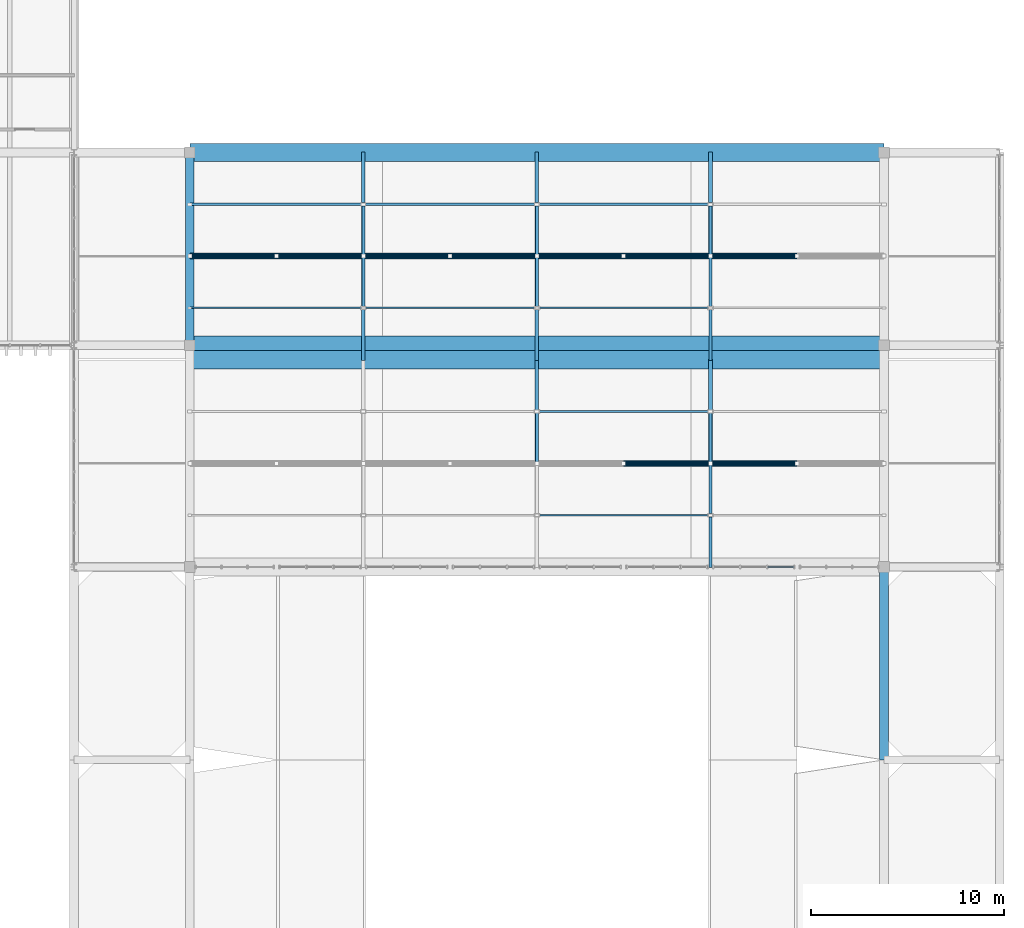
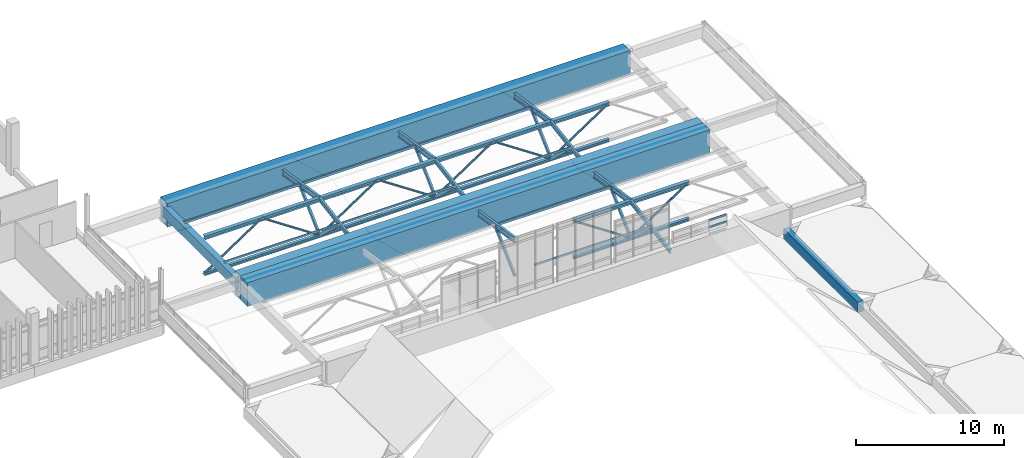
# One storey, part 53 of 82: 56 members, 5 beams, 1 element without a shape of its own.
"""IFC4 building model written with IfcOpenShell, lengths in metres."""

from ifc_helpers import new_model, si_unit, direction, frame, origin, origin_2d, place, context, subcontext, project, spatial, rectangle, hollow_rectangle, hollow_circle, i_section, extrude, material, layer, layer_set, material_profile, profile_set, type_object, element, aggregate, save


model = new_model("IFC4")

# Units and contexts
model_context = context("Model", 3, precision=1e-05, world=origin(), true_north=direction((0.0, 1.0)))
body_context = subcontext(model_context, "Body", "Model", "MODEL_VIEW")
ifc_project = project(units=[si_unit("LENGTHUNIT", "METRE"), si_unit("AREAUNIT", "SQUARE_METRE"), si_unit("VOLUMEUNIT", "CUBIC_METRE"), si_unit("PLANEANGLEUNIT", "RADIAN"), si_unit("MASSUNIT", "GRAM", prefix="KILO")], contexts=[model_context])

# Site, building, storey
site_placement = place(None, origin())
site = spatial("IfcSite", under=ifc_project, at=site_placement, CompositionType="ELEMENT")
building_placement = place(site_placement, origin())
building = spatial("IfcBuilding", under=site, at=building_placement, Name="Mersad Railyard Sports Hall", CompositionType="ELEMENT")
storey_placement = place(building_placement, frame((0.0, 0.0, 13.199951171875)))
storey = spatial("IfcBuildingStorey", under=building, at=storey_placement, Name="L03", CompositionType="ELEMENT", Elevation=13.199951171875)

# Curtain wall, members
ifc_material_1 = material(Name="Aluminium 6063-T6", Category="aluminium")
ifc_layer = layer(ifc_material_1, 0.199951171875)
ifc_layer_set = layer_set([ifc_layer], Name="Aluminium 6063-T6")
curtain_wall_type = type_object("IfcCurtainWallType", Name="ARC-CW-CW43", PredefinedType="USERDEFINED", material=ifc_layer_set)
curtain_wall_placement = place(storey_placement, origin())
curtain_wall = element("IfcCurtainWall", 1, at=curtain_wall_placement, inside=storey, type_object=curtain_wall_type, Name="Curtain wall CW43-0125", ObjectType="CURTAIN WALL", PredefinedType="USERDEFINED")
ifc_material_profile_1 = material_profile(ifc_material_1, hollow_rectangle(XDim=0.06494140625, YDim=0.14990234375, WallThickness=0.00439453125, at=origin_2d()), Name="AL TRANSOM 65x150x4.5")
ifc_profile_set_1 = profile_set([ifc_material_profile_1], Name="Aluminium 6063-T6")
member_type_1 = type_object("IfcMemberType", Name="ARC-CW-TRN02", PredefinedType="USERDEFINED", material=ifc_profile_set_1)
member_1_placement = place(storey_placement, frame((166.969970703125, 73.5, 1.39013671875), z_axis=(1.0, 0.0, 0.0), x_axis=(0.0, 1.0, 0.0)))
member_1 = element("IfcMember", 2, at=member_1_placement, type_object=member_type_1, Name="CW43 Transom 1-3", ObjectType="TRANSOM", PredefinedType="USERDEFINED", context=body_context, shape_type="SweptSolid", body=[
    extrude(hollow_rectangle(XDim=0.06494140625, YDim=0.14990234375, WallThickness=0.00439453125, at=origin_2d()), origin(), (0.0, 0.0, 1.0), 1.360107421875),
])
member_2_placement = place(storey_placement, frame((166.969970703125, 73.5, 1.9560546875), z_axis=(1.0, 0.0, 0.0), x_axis=(0.0, 1.0, 0.0)))
member_2 = element("IfcMember", 3, at=member_2_placement, type_object=member_type_1, Name="CW43 Transom 2-3", ObjectType="TRANSOM", PredefinedType="USERDEFINED", context=body_context, shape_type="SweptSolid", body=[
    extrude(hollow_rectangle(XDim=0.06494140625, YDim=0.14990234375, WallThickness=0.00439453125, at=origin_2d()), origin(), (0.0, 0.0, 1.0), 1.360107421875),
])
member_3_placement = place(storey_placement, frame((166.969970703125, 73.5, 2.52197265625), z_axis=(1.0, 0.0, 0.0), x_axis=(0.0, 1.0, 0.0)))
member_3 = element("IfcMember", 4, at=member_3_placement, type_object=member_type_1, Name="CW43 Transom 3-3", ObjectType="TRANSOM", PredefinedType="USERDEFINED", context=body_context, shape_type="SweptSolid", body=[
    extrude(hollow_rectangle(XDim=0.06494140625, YDim=0.14990234375, WallThickness=0.00439453125, at=origin_2d()), origin(), (0.0, 0.0, 1.0), 1.360107421875),
])
aggregate(curtain_wall, [member_1, member_2, member_3])

# Beams
ifc_material_2 = material(Name="Concrete C40/50", Category="concrete")
ifc_material_profile_2 = material_profile(ifc_material_2, rectangle(XDim=0.449951171875, YDim=0.85009765625, at=origin_2d()), Name="RC 450x850")
ifc_profile_set_2 = profile_set([ifc_material_profile_2], Name="Concrete C40/50")
beam_type_1 = type_object("IfcBeamType", Name="STR-BM-B02", PredefinedType="BEAM", material=ifc_profile_set_2)
for number, where, z_axis, x_axis, name in (
    (5, (173.0, 63.5, -0.64501953125), (0.0, 1.0, 0.0), (-1.0, 0.0, 0.0), "Beam B02-0697"),
    (6, (137.0, 85.0, 0.925048828125), (0.0, 1.0, 0.0), (-1.0, 0.0, 0.0), "Beam B02-0913"),
):
    element("IfcBeam", number, at=place(storey_placement, frame(where, z_axis=z_axis, x_axis=x_axis)), inside=storey, type_object=beam_type_1, Name=name, PredefinedType="BEAM", context=body_context, shape_type="SweptSolid", body=[
        extrude(rectangle(XDim=0.449951171875, YDim=0.85009765625, at=origin_2d()), origin(), (0.0, 0.0, 1.0), 10.0),
    ])
ifc_material_3 = material(Name="Post-tensioned concrete C50/60", Category="concrete")
ifc_material_profile_3 = material_profile(ifc_material_3, rectangle(XDim=0.949951171875, YDim=1.949951171875, at=origin_2d()), Name="PT 950x1950")
ifc_profile_set_3 = profile_set([ifc_material_profile_3], Name="Post-tensioned concrete C50/60")
beam_type_2 = type_object("IfcBeamType", Name="STR-BM-TG03", PredefinedType="USERDEFINED", material=ifc_profile_set_3)
for number, where, z_axis, x_axis, name in (
    (7, (137.0, 85.0, 0.650146484375), (1.0, 0.0, 0.0), (0.0, 1.0, 0.0), "Transfer girder TG03-0922"),
    (8, (137.0, 95.0, 0.650146484375), (1.0, 0.0, 0.0), (0.0, 1.0, 0.0), "Transfer girder TG03-0923"),
    (9, (137.0, 84.25, 0.650146484375), (1.0, 0.0, 0.0), (0.0, 1.0, 0.0), "Transfer girder TG03-1580"),
):
    element("IfcBeam", number, at=place(storey_placement, frame(where, z_axis=z_axis, x_axis=x_axis)), inside=storey, type_object=beam_type_2, Name=name, ObjectType="GIRDER", PredefinedType="USERDEFINED", context=body_context, shape_type="SweptSolid", body=[
        extrude(rectangle(XDim=0.949951171875, YDim=1.949951171875, at=origin_2d()), origin(), (0.0, 0.0, 1.0), 36.0),
    ])

# Members
ifc_material_4 = material(Name="Steel S355", Category="steel")
ifc_material_profile_4 = material_profile(ifc_material_4, hollow_circle(Radius=0.084228515625, WallThickness=0.008056640625, at=origin_2d()), Name="CHS 168.3x8")
ifc_profile_set_4 = profile_set([ifc_material_profile_4], Name="Steel S355")
member_type_2 = type_object("IfcMemberType", Name="STR-MEM-BR03", PredefinedType="BRACE", material=ifc_profile_set_4)
for number, where, z_axis, x_axis, name in (
    (10, (159.5, 78.875, 1.85009765625), (0.832050294338, 0.0, -0.554700196225), (0.0, 1.0, 0.0), "Structural member BR03-0231"),
    (11, (164.0, 78.875, -1.14990234375), (0.832050294338, 0.0, 0.554700196225), (0.0, 1.0, 0.0), "Structural member BR03-0234"),
    (12, (137.0, 89.625, -1.14990234375), (0.832050294338, 0.0, 0.554700196225), (0.0, 1.0, 0.0), "Structural member BR03-0260"),
    (13, (141.5, 89.625, 1.85009765625), (0.832050294338, 0.0, -0.554700196225), (0.0, 1.0, 0.0), "Structural member BR03-0263"),
    (14, (146.0, 89.625, -1.14990234375), (0.832050294338, 0.0, 0.554700196225), (0.0, 1.0, 0.0), "Structural member BR03-0266"),
    (15, (150.5, 89.625, 1.85009765625), (0.832050294338, 0.0, -0.554700196225), (0.0, 1.0, 0.0), "Structural member BR03-0269"),
    (16, (155.0, 89.625, -1.14990234375), (0.832050294338, 0.0, 0.554700196225), (0.0, 1.0, 0.0), "Structural member BR03-0272"),
    (17, (159.5, 89.625, 1.85009765625), (0.832050294338, 0.0, -0.554700196225), (0.0, 1.0, 0.0), "Structural member BR03-0275"),
    (18, (164.0, 89.625, -1.14990234375), (0.832050294338, 0.0, 0.554700196225), (0.0, 1.0, 0.0), "Structural member BR03-0278"),
):
    element("IfcMember", number, at=place(storey_placement, frame(where, z_axis=z_axis, x_axis=x_axis)), inside=storey, type_object=member_type_2, Name=name, PredefinedType="BRACE", context=body_context, shape_type="SweptSolid", body=[
        extrude(hollow_circle(Radius=0.084228515625, WallThickness=0.008056640625, at=origin_2d()), origin(), (0.0, 0.0, 1.0), 5.408447265625),
    ])
ifc_material_profile_5 = material_profile(ifc_material_4, i_section(OverallWidth=0.239990234375, OverallDepth=0.239990234375, WebThickness=0.010009765625, FlangeThickness=0.01708984375, at=origin_2d()), Name="HEB 240")
ifc_profile_set_5 = profile_set([ifc_material_profile_5], Name="Steel S355")
member_type_3 = type_object("IfcMemberType", Name="STR-MEM-CH01", PredefinedType="CHORD", material=ifc_profile_set_5)
for number, where, z_axis, x_axis, name in (
    (19, (159.5, 78.875, -1.14990234375), (1.0, 0.0, 0.0), (0.0, 1.0, 0.0), "Structural member CH01-0230"),
    (20, (164.0, 78.875, -1.14990234375), (1.0, 0.0, 0.0), (0.0, 1.0, 0.0), "Structural member CH01-0233"),
    (21, (137.0, 89.625, -1.14990234375), (1.0, 0.0, 0.0), (0.0, 1.0, 0.0), "Structural member CH01-0259"),
    (22, (141.5, 89.625, -1.14990234375), (1.0, 0.0, 0.0), (0.0, 1.0, 0.0), "Structural member CH01-0262"),
    (23, (146.0, 89.625, -1.14990234375), (1.0, 0.0, 0.0), (0.0, 1.0, 0.0), "Structural member CH01-0265"),
    (24, (150.5, 89.625, -1.14990234375), (1.0, 0.0, 0.0), (0.0, 1.0, 0.0), "Structural member CH01-0268"),
    (25, (155.0, 89.625, -1.14990234375), (1.0, 0.0, 0.0), (0.0, 1.0, 0.0), "Structural member CH01-0271"),
    (26, (159.5, 89.625, -1.14990234375), (1.0, 0.0, 0.0), (0.0, 1.0, 0.0), "Structural member CH01-0274"),
    (27, (164.0, 89.625, -1.14990234375), (1.0, 0.0, 0.0), (0.0, 1.0, 0.0), "Structural member CH01-0277"),
):
    element("IfcMember", number, at=place(storey_placement, frame(where, z_axis=z_axis, x_axis=x_axis)), inside=storey, type_object=member_type_3, Name=name, PredefinedType="CHORD", context=body_context, shape_type="SweptSolid", body=[
        extrude(i_section(OverallWidth=0.239990234375, OverallDepth=0.239990234375, WebThickness=0.010009765625, FlangeThickness=0.01708984375, at=origin_2d()), origin(), (0.0, 0.0, 1.0), 4.5),
    ])
ifc_material_profile_6 = material_profile(ifc_material_4, i_section(OverallWidth=0.300048828125, OverallDepth=0.300048828125, WebThickness=0.010986328125, FlangeThickness=0.01904296875, at=origin_2d()), Name="HEB 300")
ifc_profile_set_6 = profile_set([ifc_material_profile_6], Name="Steel S355")
member_type_4 = type_object("IfcMemberType", Name="STR-MEM-CH02", PredefinedType="CHORD", material=ifc_profile_set_6)
for number, where, z_axis, x_axis, name in (
    (28, (159.5, 78.875, 1.85009765625), (1.0, 0.0, 0.0), (0.0, 1.0, 0.0), "Structural member CH02-0229"),
    (29, (164.0, 78.875, 1.85009765625), (1.0, 0.0, 0.0), (0.0, 1.0, 0.0), "Structural member CH02-0232"),
    (30, (137.0, 89.625, 1.85009765625), (1.0, 0.0, 0.0), (0.0, 1.0, 0.0), "Structural member CH02-0258"),
    (31, (141.5, 89.625, 1.85009765625), (1.0, 0.0, 0.0), (0.0, 1.0, 0.0), "Structural member CH02-0261"),
    (32, (146.0, 89.625, 1.85009765625), (1.0, 0.0, 0.0), (0.0, 1.0, 0.0), "Structural member CH02-0264"),
    (33, (150.5, 89.625, 1.85009765625), (1.0, 0.0, 0.0), (0.0, 1.0, 0.0), "Structural member CH02-0267"),
    (34, (155.0, 89.625, 1.85009765625), (1.0, 0.0, 0.0), (0.0, 1.0, 0.0), "Structural member CH02-0270"),
    (35, (159.5, 89.625, 1.85009765625), (1.0, 0.0, 0.0), (0.0, 1.0, 0.0), "Structural member CH02-0273"),
    (36, (164.0, 89.625, 1.85009765625), (1.0, 0.0, 0.0), (0.0, 1.0, 0.0), "Structural member CH02-0276"),
):
    element("IfcMember", number, at=place(storey_placement, frame(where, z_axis=z_axis, x_axis=x_axis)), inside=storey, type_object=member_type_4, Name=name, PredefinedType="CHORD", context=body_context, shape_type="SweptSolid", body=[
        extrude(i_section(OverallWidth=0.300048828125, OverallDepth=0.300048828125, WebThickness=0.010986328125, FlangeThickness=0.01904296875, at=origin_2d()), origin(), (0.0, 0.0, 1.0), 4.5),
    ])
ifc_material_profile_7 = material_profile(ifc_material_4, hollow_rectangle(XDim=0.080078125, YDim=0.159912109375, WallThickness=0.008056640625, at=origin_2d()), Name="RHS 160x80x8")
ifc_profile_set_7 = profile_set([ifc_material_profile_7], Name="Steel S355")
member_type_5 = type_object("IfcMemberType", Name="STR-MEM-PU03", PredefinedType="PURLIN", material=ifc_profile_set_7)
for number, where, z_axis, x_axis, name in (
    (37, (155.0, 76.1875, 1.425048828125), (1.0, 0.0, 0.0), (0.0, 1.0, 0.0), "Structural member PU03-0254"),
    (38, (137.0, 86.9375, 1.425048828125), (1.0, 0.0, 0.0), (0.0, 1.0, 0.0), "Structural member PU03-0294"),
    (39, (146.0, 86.9375, 1.425048828125), (1.0, 0.0, 0.0), (0.0, 1.0, 0.0), "Structural member PU03-0296"),
    (40, (155.0, 86.9375, 1.425048828125), (1.0, 0.0, 0.0), (0.0, 1.0, 0.0), "Structural member PU03-0298"),
):
    element("IfcMember", number, at=place(storey_placement, frame(where, z_axis=z_axis, x_axis=x_axis)), inside=storey, type_object=member_type_5, Name=name, PredefinedType="PURLIN", context=body_context, shape_type="SweptSolid", body=[
        extrude(hollow_rectangle(XDim=0.080078125, YDim=0.159912109375, WallThickness=0.008056640625, at=origin_2d()), origin(), (0.0, 0.0, 1.0), 9.0),
    ])
ifc_material_profile_8 = material_profile(ifc_material_4, i_section(OverallWidth=0.169921875, OverallDepth=0.360107421875, WebThickness=0.008056640625, FlangeThickness=0.0126953125, at=origin_2d()), Name="IPE 360")
ifc_profile_set_8 = profile_set([ifc_material_profile_8], Name="Steel S355")
member_type_6 = type_object("IfcMemberType", Name="STR-MEM-RF01", PredefinedType="RAFTER", material=ifc_profile_set_8)
for number, where, z_axis, x_axis, name in (
    (41, (164.0, 73.5, 1.0), (0.0, 0.9877229191, 0.156215988568), (-1.0, 0.0, 0.0), "Structural member RF01-0246"),
    (42, (146.0, 84.25, 1.0), (0.0, 0.9877229191, 0.156215988568), (-1.0, 0.0, 0.0), "Structural member RF01-0282"),
    (43, (155.0, 84.25, 1.0), (0.0, 0.9877229191, 0.156215988568), (-1.0, 0.0, 0.0), "Structural member RF01-0286"),
    (44, (164.0, 84.25, 1.0), (0.0, 0.9877229191, 0.156215988568), (-1.0, 0.0, 0.0), "Structural member RF01-0290"),
):
    element("IfcMember", number, at=place(storey_placement, frame(where, z_axis=z_axis, x_axis=x_axis)), inside=storey, type_object=member_type_6, Name=name, PredefinedType="RAFTER", context=body_context, shape_type="SweptSolid", body=[
        extrude(i_section(OverallWidth=0.169921875, OverallDepth=0.360107421875, WebThickness=0.008056640625, FlangeThickness=0.0126953125, at=origin_2d()), origin(), (0.0, 0.0, 1.0), 5.44189453125),
    ])
ifc_material_profile_9 = material_profile(ifc_material_4, i_section(OverallWidth=0.18994140625, OverallDepth=0.449951171875, WebThickness=0.009521484375, FlangeThickness=0.0146484375, at=origin_2d()), Name="IPE 450")
ifc_profile_set_9 = profile_set([ifc_material_profile_9], Name="Steel S355")
member_type_7 = type_object("IfcMemberType", Name="STR-MEM-RF02", PredefinedType="RAFTER", material=ifc_profile_set_9)
for number, where, z_axis, x_axis, name in (
    (45, (155.0, 84.25, 1.0), (0.0, -0.9877229191, 0.156215988568), (1.0, 0.0, 0.0), "Structural member RF02-0243"),
    (46, (164.0, 84.25, 1.0), (0.0, -0.9877229191, 0.156215988568), (1.0, 0.0, 0.0), "Structural member RF02-0247"),
    (47, (146.0, 95.0, 1.0), (0.0, -0.9877229191, 0.156215988568), (1.0, 0.0, 0.0), "Structural member RF02-0283"),
    (48, (155.0, 95.0, 1.0), (0.0, -0.9877229191, 0.156215988568), (1.0, 0.0, 0.0), "Structural member RF02-0287"),
    (49, (164.0, 95.0, 1.0), (0.0, -0.9877229191, 0.156215988568), (1.0, 0.0, 0.0), "Structural member RF02-0291"),
):
    element("IfcMember", number, at=place(storey_placement, frame(where, z_axis=z_axis, x_axis=x_axis)), inside=storey, type_object=member_type_7, Name=name, PredefinedType="RAFTER", context=body_context, shape_type="SweptSolid", body=[
        extrude(i_section(OverallWidth=0.18994140625, OverallDepth=0.449951171875, WebThickness=0.009521484375, FlangeThickness=0.0146484375, at=origin_2d()), origin(), (0.0, 0.0, 1.0), 5.44189453125),
    ])
ifc_material_profile_10 = material_profile(ifc_material_4, hollow_rectangle(XDim=0.1201171875, YDim=0.199951171875, WallThickness=0.010009765625, at=origin_2d()), Name="RHS 200x120x10")
ifc_profile_set_10 = profile_set([ifc_material_profile_10], Name="Steel S355")
member_type_8 = type_object("IfcMemberType", Name="STR-MEM-SR01", PredefinedType="STRUT", material=ifc_profile_set_10)
for number, where, z_axis, x_axis, name in (
    (50, (155.0, 81.5625, 1.425048828125), (1.0, 0.0, 0.0), (0.0, 1.0, 0.0), "Structural member SR01-0255"),
    (51, (137.0, 92.3125, 1.425048828125), (1.0, 0.0, 0.0), (0.0, 1.0, 0.0), "Structural member SR01-0295"),
    (52, (146.0, 92.3125, 1.425048828125), (1.0, 0.0, 0.0), (0.0, 1.0, 0.0), "Structural member SR01-0297"),
    (53, (155.0, 92.3125, 1.425048828125), (1.0, 0.0, 0.0), (0.0, 1.0, 0.0), "Structural member SR01-0299"),
):
    element("IfcMember", number, at=place(storey_placement, frame(where, z_axis=z_axis, x_axis=x_axis)), inside=storey, type_object=member_type_8, Name=name, PredefinedType="STRUT", context=body_context, shape_type="SweptSolid", body=[
        extrude(hollow_rectangle(XDim=0.1201171875, YDim=0.199951171875, WallThickness=0.010009765625, at=origin_2d()), origin(), (0.0, 0.0, 1.0), 9.0),
    ])
ifc_material_profile_11 = material_profile(ifc_material_4, hollow_rectangle(XDim=0.14990234375, YDim=0.25, WallThickness=0.012451171875, at=origin_2d()), Name="RHS 250x150x12.5")
ifc_profile_set_11 = profile_set([ifc_material_profile_11], Name="Steel S355")
member_type_9 = type_object("IfcMemberType", Name="STR-MEM-SR02", PredefinedType="STRUT", material=ifc_profile_set_11)
for number, where, z_axis, x_axis, name in (
    (54, (155.0, 78.875, -1.14990234375), (0.0, 0.72541391908, 0.688312898328), (-1.0, 0.0, 0.0), "Structural member SR02-0245"),
    (55, (164.0, 78.875, -1.14990234375), (0.0, -0.72541391908, 0.688312898328), (1.0, 0.0, 0.0), "Structural member SR02-0248"),
    (56, (164.0, 78.875, -1.14990234375), (0.0, 0.72541391908, 0.688312898328), (-1.0, 0.0, 0.0), "Structural member SR02-0249"),
    (57, (146.0, 89.625, -1.14990234375), (0.0, -0.72541391908, 0.688312898328), (1.0, 0.0, 0.0), "Structural member SR02-0284"),
    (58, (146.0, 89.625, -1.14990234375), (0.0, 0.72541391908, 0.688312898328), (-1.0, 0.0, 0.0), "Structural member SR02-0285"),
    (59, (155.0, 89.625, -1.14990234375), (0.0, -0.72541391908, 0.688312898328), (1.0, 0.0, 0.0), "Structural member SR02-0288"),
    (60, (155.0, 89.625, -1.14990234375), (0.0, 0.72541391908, 0.688312898328), (-1.0, 0.0, 0.0), "Structural member SR02-0289"),
    (61, (164.0, 89.625, -1.14990234375), (0.0, -0.72541391908, 0.688312898328), (1.0, 0.0, 0.0), "Structural member SR02-0292"),
    (62, (164.0, 89.625, -1.14990234375), (0.0, 0.72541391908, 0.688312898328), (-1.0, 0.0, 0.0), "Structural member SR02-0293"),
):
    element("IfcMember", number, at=place(storey_placement, frame(where, z_axis=z_axis, x_axis=x_axis)), inside=storey, type_object=member_type_9, Name=name, PredefinedType="STRUT", context=body_context, shape_type="SweptSolid", body=[
        extrude(hollow_rectangle(XDim=0.14990234375, YDim=0.25, WallThickness=0.012451171875, at=origin_2d()), origin(), (0.0, 0.0, 1.0), 3.704833984375),
    ])

save(model, "model.ifc")
